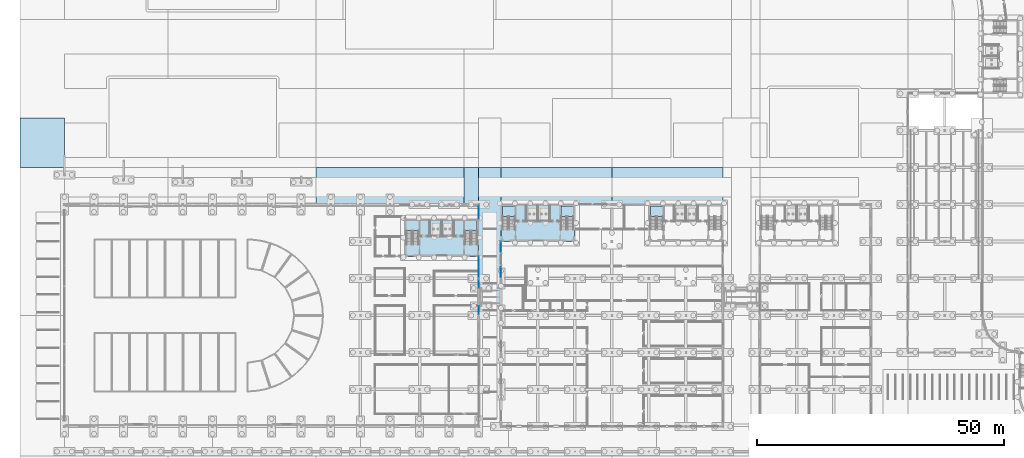
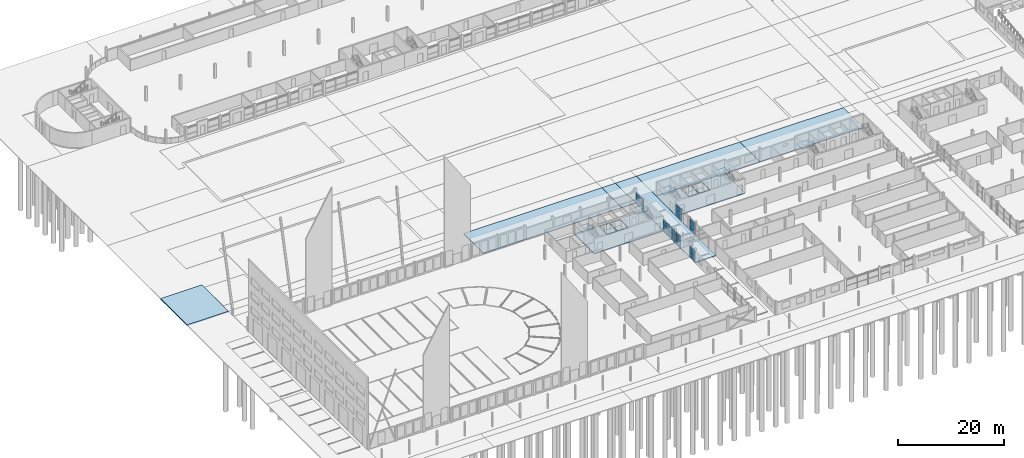
# One storey, part 67 of 130: 15 slabs, 14 plates, 11 elements without a shape of their own.
"""IFC4 building model written with IfcOpenShell, lengths in metres."""

from ifc_helpers import new_model, si_unit, direction, frame, origin, origin_2d, place, context, subcontext, project, spatial, polyline, rectangle, outline, extrude, material, layer, layer_set, type_object, element, aggregate, save


model = new_model("IFC4")

# Units and contexts
model_context = context("Model", 3, precision=1e-05, world=origin(), true_north=direction((0.0, 1.0)))
body_context = subcontext(model_context, "Body", "Model", "MODEL_VIEW")
ifc_project = project(units=[si_unit("LENGTHUNIT", "METRE"), si_unit("AREAUNIT", "SQUARE_METRE"), si_unit("VOLUMEUNIT", "CUBIC_METRE"), si_unit("PLANEANGLEUNIT", "RADIAN"), si_unit("MASSUNIT", "GRAM", prefix="KILO")], contexts=[model_context])

# Site, building, storey
site_placement = place(None, origin())
site = spatial("IfcSite", under=ifc_project, at=site_placement, CompositionType="ELEMENT")
building_placement = place(site_placement, origin())
building = spatial("IfcBuilding", under=site, at=building_placement, Name="Parallax Yard Mobility Hub", CompositionType="ELEMENT")
storey_placement = place(building_placement, origin())
storey = spatial("IfcBuildingStorey", under=building, at=storey_placement, Name="L00", CompositionType="ELEMENT", Elevation=0.0)

# Slabs
ifc_material_1 = material(Name="Concrete fc' 28 MPa", Category="concrete")
ifc_layer_1 = layer(ifc_material_1, 0.25)
ifc_layer_set_1 = layer_set([ifc_layer_1], Name="Bus apron paving 250")
slab_type_1 = type_object("IfcSlabType", Name="Bus apron paving 250", PredefinedType="FLOOR", material=ifc_layer_set_1)
slab_1_placement = place(storey_placement, frame((0.0, 0.0, -0.25)))
element("IfcSlab", 1, at=slab_1_placement, inside=storey, type_object=slab_type_1, Name="Bus apron paving panel 3", PredefinedType="FLOOR", context=body_context, shape_type="SweptSolid", body=[
    extrude(outline(polyline([(9.0, 60.0), (0.0, 60.0), (0.0, 70.0), (9.0, 70.0), (9.0, 60.0)])), origin(), (0.0, 0.0, 1.0), 0.25),
])
ifc_layer_2 = layer(ifc_material_1, 0.199951171875)
ifc_layer_set_2 = layer_set([ifc_layer_2], Name="Core ground slab 200")
slab_type_2 = type_object("IfcSlabType", Name="Core ground slab 200", PredefinedType="BASESLAB", material=ifc_layer_set_2)
slab_2_placement = place(storey_placement, frame((0.0, 0.0, -0.199951171875)))
element("IfcSlab", 2, at=slab_2_placement, inside=storey, type_object=slab_type_2, Name="Core C6-W ground slab", PredefinedType="BASESLAB", context=body_context, shape_type="SweptSolid", body=[
    extrude(outline(polyline([(97.5, 52.5), (112.5, 52.5), (112.5, 45.0), (97.5, 45.0), (97.5, 52.5)]), holes=[polyline([(102.699951171875, 52.199951171875), (102.699951171875, 49.199951171875), (104.89990234375, 49.199951171875), (104.89990234375, 52.199951171875), (102.699951171875, 52.199951171875)]), polyline([(107.300048828125, 52.199951171875), (105.10009765625, 52.199951171875), (105.10009765625, 49.199951171875), (107.300048828125, 49.199951171875), (107.300048828125, 52.199951171875)])]), origin(), (0.0, 0.0, 1.0), 0.199951171875),
])
slab_3_placement = place(storey_placement, frame((0.0, 0.0, -0.199951171875)))
element("IfcSlab", 3, at=slab_3_placement, inside=storey, type_object=slab_type_2, Name="Core C1 ground slab", PredefinedType="BASESLAB", context=body_context, shape_type="SweptSolid", body=[
    extrude(outline(polyline([(78.0, 49.5), (93.0, 49.5), (93.0, 42.0), (78.0, 42.0), (78.0, 49.5)]), holes=[polyline([(83.199951171875, 49.199951171875), (83.199951171875, 46.199951171875), (85.39990234375, 46.199951171875), (85.39990234375, 49.199951171875), (83.199951171875, 49.199951171875)]), polyline([(87.800048828125, 49.199951171875), (85.60009765625, 49.199951171875), (85.60009765625, 46.199951171875), (87.800048828125, 46.199951171875), (87.800048828125, 49.199951171875)])]), origin(), (0.0, 0.0, 1.0), 0.199951171875),
])

# Stair, slab
ifc_material_2 = material(Name="Concrete fc' 35 MPa", Category="concrete")
stair_type_1 = type_object("IfcStairType", Name="Sports deck stair 1200 dog-leg", PredefinedType="HALF_TURN_STAIR", material=ifc_material_2)
stair_1_placement = place(storey_placement, origin())
stair_1 = element("IfcStair", 4, at=stair_1_placement, inside=storey, type_object=stair_type_1, Name="L00 Exit stair 1 of core C6-W", PredefinedType="HALF_TURN_STAIR")
ifc_layer_3 = layer(ifc_material_2, 0.199951171875)
ifc_layer_set_3 = layer_set([ifc_layer_3], Name="Exit stair landing 200")
slab_type_3 = type_object("IfcSlabType", Name="Exit stair landing 200", PredefinedType="LANDING", material=ifc_layer_set_3)
slab_4_placement = place(storey_placement, frame((0.0, 0.0, 1.449951171875)))
slab_4 = element("IfcSlab", 5, at=slab_4_placement, type_object=slab_type_3, Name="ST11 landing 1", PredefinedType="LANDING", context=body_context, shape_type="SweptSolid", body=[
    extrude(outline(polyline([(100.35009765625, 50.10009765625), (100.35009765625, 52.199951171875), (97.800048828125, 52.199951171875), (97.800048828125, 50.10009765625), (100.35009765625, 50.10009765625)])), origin(), (0.0, 0.0, 1.0), 0.199951171875),
])
aggregate(stair_1, [slab_4])

stair_2_placement = place(storey_placement, origin())
stair_2 = element("IfcStair", 6, at=stair_2_placement, inside=storey, type_object=stair_type_1, Name="L00 Exit stair 2 of core C6-W", PredefinedType="HALF_TURN_STAIR")
slab_5_placement = place(storey_placement, frame((0.0, 0.0, 1.449951171875)))
slab_5 = element("IfcSlab", 7, at=slab_5_placement, type_object=slab_type_3, Name="ST12 landing 1", PredefinedType="LANDING", context=body_context, shape_type="SweptSolid", body=[
    extrude(outline(polyline([(112.199951171875, 50.10009765625), (112.199951171875, 52.199951171875), (109.64990234375, 52.199951171875), (109.64990234375, 50.10009765625), (112.199951171875, 50.10009765625)])), origin(), (0.0, 0.0, 1.0), 0.199951171875),
])
aggregate(stair_2, [slab_5])

stair_3_placement = place(storey_placement, origin())
stair_3 = element("IfcStair", 8, at=stair_3_placement, inside=storey, type_object=stair_type_1, Name="L00 Exit stair 1 of core C6-E", PredefinedType="HALF_TURN_STAIR")
slab_6_placement = place(storey_placement, frame((0.0, 0.0, 1.449951171875)))
slab_6 = element("IfcSlab", 9, at=slab_6_placement, type_object=slab_type_3, Name="ST13 landing 1", PredefinedType="LANDING", context=body_context, shape_type="SweptSolid", body=[
    extrude(outline(polyline([(130.35009765625, 50.10009765625), (130.35009765625, 52.199951171875), (127.800048828125, 52.199951171875), (127.800048828125, 50.10009765625), (130.35009765625, 50.10009765625)])), origin(), (0.0, 0.0, 1.0), 0.199951171875),
])
aggregate(stair_3, [slab_6])

stair_type_2 = type_object("IfcStairType", Name="Public hall stair 1200 dog-leg", PredefinedType="HALF_TURN_STAIR", material=ifc_material_2)
stair_4_placement = place(storey_placement, origin())
stair_4 = element("IfcStair", 10, at=stair_4_placement, inside=storey, type_object=stair_type_2, Name="L00 Exit stair 1 of core C1", PredefinedType="HALF_TURN_STAIR")
slab_7_placement = place(storey_placement, frame((0.0, 0.0, 1.449951171875)))
slab_7 = element("IfcSlab", 11, at=slab_7_placement, type_object=slab_type_3, Name="ST17 landing 1", PredefinedType="LANDING", context=body_context, shape_type="SweptSolid", body=[
    extrude(outline(polyline([(80.85009765625, 47.18994140625), (80.85009765625, 49.199951171875), (78.300048828125, 49.199951171875), (78.300048828125, 47.18994140625), (80.85009765625, 47.18994140625)])), origin(), (0.0, 0.0, 1.0), 0.199951171875),
])
aggregate(stair_4, [slab_7])

stair_5_placement = place(storey_placement, origin())
stair_5 = element("IfcStair", 12, at=stair_5_placement, inside=storey, type_object=stair_type_2, Name="L00 Exit stair 2 of core C1", PredefinedType="HALF_TURN_STAIR")
slab_8_placement = place(storey_placement, frame((0.0, 0.0, 1.449951171875)))
slab_8 = element("IfcSlab", 13, at=slab_8_placement, type_object=slab_type_3, Name="ST18 landing 1", PredefinedType="LANDING", context=body_context, shape_type="SweptSolid", body=[
    extrude(outline(polyline([(92.699951171875, 47.18994140625), (92.699951171875, 49.199951171875), (90.14990234375, 49.199951171875), (90.14990234375, 47.18994140625), (92.699951171875, 47.18994140625)])), origin(), (0.0, 0.0, 1.0), 0.199951171875),
])
aggregate(stair_5, [slab_8])

# Curtain wall, plates
ifc_material_3 = material(Name="Thermally broken aluminium curtain wall system", Category="aluminium")
curtain_wall_type = type_object("IfcCurtainWallType", Name="Curtain wall run 60 x 160 frame", PredefinedType="NOTDEFINED", material=ifc_material_3)
curtain_wall_1_placement = place(storey_placement, origin())
curtain_wall_1 = element("IfcCurtainWall", 14, at=curtain_wall_1_placement, inside=storey, type_object=curtain_wall_type, Name="Curtain wall run Bus and taxi deck east end bay 4 level L00", PredefinedType="NOTDEFINED")
ifc_material_4 = material(Name="Laminated low-E double glazing", Category="glass")
ifc_layer_4 = layer(ifc_material_4, 0.028076171875)
ifc_layer_set_4 = layer_set([ifc_layer_4], Name="Glazing panel 28")
plate_type = type_object("IfcPlateType", Name="Glazing panel 28", PredefinedType="CURTAIN_PANEL", material=ifc_layer_set_4)
plate_1_placement = place(storey_placement, frame((93.0, 31.0517578125, 0.06005859375), z_axis=(0.0, 0.0, 1.0), x_axis=(0.0, 1.0, 0.0)))
plate_1 = element("IfcPlate", 15, at=plate_1_placement, type_object=plate_type, Name="CW1 panel 1.1", PredefinedType="CURTAIN_PANEL", context=body_context, shape_type="SweptSolid", body=[
    extrude(rectangle(XDim=1.676513671875, YDim=0.028076171875, at=origin_2d()), origin(), (0.0, 0.0, 1.0), 1.223388671875),
])
plate_2_placement = place(storey_placement, frame((93.0, 31.0517578125, 1.34375), z_axis=(0.0, 0.0, 1.0), x_axis=(0.0, 1.0, 0.0)))
plate_2 = element("IfcPlate", 16, at=plate_2_placement, type_object=plate_type, Name="CW1 panel 1.2", PredefinedType="CURTAIN_PANEL", context=body_context, shape_type="SweptSolid", body=[
    extrude(rectangle(XDim=1.676513671875, YDim=0.028076171875, at=origin_2d()), origin(), (0.0, 0.0, 1.0), 1.223388671875),
])
aggregate(curtain_wall_1, [plate_1, plate_2])

curtain_wall_2_placement = place(storey_placement, origin())
curtain_wall_2 = element("IfcCurtainWall", 17, at=curtain_wall_2_placement, inside=storey, type_object=curtain_wall_type, Name="Curtain wall run Bus and taxi deck east end bay 4 level L00", PredefinedType="NOTDEFINED")
plate_3_placement = place(storey_placement, frame((93.0, 36.4482421875, 0.06005859375), z_axis=(0.0, 0.0, 1.0), x_axis=(0.0, 1.0, 0.0)))
plate_3 = element("IfcPlate", 18, at=plate_3_placement, type_object=plate_type, Name="CW1 panel 1.1", PredefinedType="CURTAIN_PANEL", context=body_context, shape_type="SweptSolid", body=[
    extrude(rectangle(XDim=1.676513671875, YDim=0.028076171875, at=origin_2d()), origin(), (0.0, 0.0, 1.0), 1.223388671875),
])
plate_4_placement = place(storey_placement, frame((93.0, 36.4482421875, 1.34375), z_axis=(0.0, 0.0, 1.0), x_axis=(0.0, 1.0, 0.0)))
plate_4 = element("IfcPlate", 19, at=plate_4_placement, type_object=plate_type, Name="CW1 panel 1.2", PredefinedType="CURTAIN_PANEL", context=body_context, shape_type="SweptSolid", body=[
    extrude(rectangle(XDim=1.676513671875, YDim=0.028076171875, at=origin_2d()), origin(), (0.0, 0.0, 1.0), 1.223388671875),
])
aggregate(curtain_wall_2, [plate_3, plate_4])

curtain_wall_3_placement = place(storey_placement, origin())
curtain_wall_3 = element("IfcCurtainWall", 20, at=curtain_wall_3_placement, inside=storey, type_object=curtain_wall_type, Name="Curtain wall run Bus and taxi deck east end bay 5 level L00", PredefinedType="NOTDEFINED")
plate_5_placement = place(storey_placement, frame((93.0, 38.755126953125, 0.06005859375), z_axis=(0.0, 0.0, 1.0), x_axis=(0.0, 1.0, 0.0)))
plate_5 = element("IfcPlate", 21, at=plate_5_placement, type_object=plate_type, Name="CW1 panel 1.1", PredefinedType="CURTAIN_PANEL", context=body_context, shape_type="SweptSolid", body=[
    extrude(rectangle(XDim=2.083251953125, YDim=0.028076171875, at=origin_2d()), origin(), (0.0, 0.0, 1.0), 1.223388671875),
])
plate_6_placement = place(storey_placement, frame((93.0, 38.755126953125, 1.34375), z_axis=(0.0, 0.0, 1.0), x_axis=(0.0, 1.0, 0.0)))
plate_6 = element("IfcPlate", 22, at=plate_6_placement, type_object=plate_type, Name="CW1 panel 1.2", PredefinedType="CURTAIN_PANEL", context=body_context, shape_type="SweptSolid", body=[
    extrude(rectangle(XDim=2.083251953125, YDim=0.028076171875, at=origin_2d()), origin(), (0.0, 0.0, 1.0), 1.223388671875),
])
plate_7_placement = place(storey_placement, frame((93.0, 40.8984375, 0.06005859375), z_axis=(0.0, 0.0, 1.0), x_axis=(0.0, 1.0, 0.0)))
plate_7 = element("IfcPlate", 23, at=plate_7_placement, type_object=plate_type, Name="CW1 panel 2.1", PredefinedType="CURTAIN_PANEL", context=body_context, shape_type="SweptSolid", body=[
    extrude(rectangle(XDim=2.083251953125, YDim=0.028076171875, at=origin_2d()), origin(), (0.0, 0.0, 1.0), 1.223388671875),
])
plate_8_placement = place(storey_placement, frame((93.0, 40.8984375, 1.34375), z_axis=(0.0, 0.0, 1.0), x_axis=(0.0, 1.0, 0.0)))
plate_8 = element("IfcPlate", 24, at=plate_8_placement, type_object=plate_type, Name="CW1 panel 2.2", PredefinedType="CURTAIN_PANEL", context=body_context, shape_type="SweptSolid", body=[
    extrude(rectangle(XDim=2.083251953125, YDim=0.028076171875, at=origin_2d()), origin(), (0.0, 0.0, 1.0), 1.223388671875),
])
aggregate(curtain_wall_3, [plate_5, plate_6, plate_7, plate_8])

curtain_wall_4_placement = place(storey_placement, origin())
curtain_wall_4 = element("IfcCurtainWall", 25, at=curtain_wall_4_placement, inside=storey, type_object=curtain_wall_type, Name="Curtain wall run Bus and taxi deck east end bay 6 level L00", PredefinedType="NOTDEFINED")
plate_9_placement = place(storey_placement, frame((93.0, 50.90673828125, 0.06005859375), z_axis=(0.0, 0.0, 1.0), x_axis=(0.0, 1.0, 0.0)))
plate_9 = element("IfcPlate", 26, at=plate_9_placement, type_object=plate_type, Name="CW1 panel 1.1", PredefinedType="CURTAIN_PANEL", context=body_context, shape_type="SweptSolid", body=[
    extrude(rectangle(XDim=2.693603515625, YDim=0.028076171875, at=origin_2d()), origin(), (0.0, 0.0, 1.0), 1.223388671875),
])
plate_10_placement = place(storey_placement, frame((93.0, 50.90673828125, 1.34375), z_axis=(0.0, 0.0, 1.0), x_axis=(0.0, 1.0, 0.0)))
plate_10 = element("IfcPlate", 27, at=plate_10_placement, type_object=plate_type, Name="CW1 panel 1.2", PredefinedType="CURTAIN_PANEL", context=body_context, shape_type="SweptSolid", body=[
    extrude(rectangle(XDim=2.693603515625, YDim=0.028076171875, at=origin_2d()), origin(), (0.0, 0.0, 1.0), 1.223388671875),
])
aggregate(curtain_wall_4, [plate_9, plate_10])

curtain_wall_5_placement = place(storey_placement, origin())
curtain_wall_5 = element("IfcCurtainWall", 28, at=curtain_wall_5_placement, inside=storey, type_object=curtain_wall_type, Name="Curtain wall run Mobility service centre and workshops west bay 5 level L00", PredefinedType="NOTDEFINED")
plate_11_placement = place(storey_placement, frame((97.5, 38.74609375, 0.06005859375), z_axis=(0.0, 0.0, 1.0), x_axis=(0.0, 1.0, 0.0)))
plate_11 = element("IfcPlate", 29, at=plate_11_placement, type_object=plate_type, Name="CW1 panel 1.1", PredefinedType="CURTAIN_PANEL", context=body_context, shape_type="SweptSolid", body=[
    extrude(rectangle(XDim=2.04931640625, YDim=0.028076171875, at=origin_2d()), origin(), (0.0, 0.0, 1.0), 1.285400390625),
])
plate_12_placement = place(storey_placement, frame((97.5, 38.74609375, 1.40576171875), z_axis=(0.0, 0.0, 1.0), x_axis=(0.0, 1.0, 0.0)))
plate_12 = element("IfcPlate", 30, at=plate_12_placement, type_object=plate_type, Name="CW1 panel 1.2", PredefinedType="CURTAIN_PANEL", context=body_context, shape_type="SweptSolid", body=[
    extrude(rectangle(XDim=2.04931640625, YDim=0.028076171875, at=origin_2d()), origin(), (0.0, 0.0, 1.0), 1.285400390625),
])
aggregate(curtain_wall_5, [plate_11, plate_12])

curtain_wall_6_placement = place(storey_placement, origin())
curtain_wall_6 = element("IfcCurtainWall", 31, at=curtain_wall_6_placement, inside=storey, type_object=curtain_wall_type, Name="Curtain wall run Mobility service centre and workshops west bay 5 level L00", PredefinedType="NOTDEFINED")
plate_13_placement = place(storey_placement, frame((97.5, 43.915283203125, 0.06005859375), z_axis=(0.0, 0.0, 1.0), x_axis=(0.0, 1.0, 0.0)))
plate_13 = element("IfcPlate", 32, at=plate_13_placement, type_object=plate_type, Name="CW1 panel 1.1", PredefinedType="CURTAIN_PANEL", context=body_context, shape_type="SweptSolid", body=[
    extrude(rectangle(XDim=2.04931640625, YDim=0.028076171875, at=origin_2d()), origin(), (0.0, 0.0, 1.0), 1.285400390625),
])
plate_14_placement = place(storey_placement, frame((97.5, 43.915283203125, 1.40576171875), z_axis=(0.0, 0.0, 1.0), x_axis=(0.0, 1.0, 0.0)))
plate_14 = element("IfcPlate", 33, at=plate_14_placement, type_object=plate_type, Name="CW1 panel 1.2", PredefinedType="CURTAIN_PANEL", context=body_context, shape_type="SweptSolid", body=[
    extrude(rectangle(XDim=2.04931640625, YDim=0.028076171875, at=origin_2d()), origin(), (0.0, 0.0, 1.0), 1.285400390625),
])
aggregate(curtain_wall_6, [plate_13, plate_14])

# Slabs
ifc_layer_5 = layer(ifc_material_1, 0.300048828125)
ifc_layer_set_5 = layer_set([ifc_layer_5], Name="Lift pit slab 300")
slab_type_4 = type_object("IfcSlabType", Name="Lift pit slab 300", PredefinedType="BASESLAB", material=ifc_layer_set_5)
slab_9_placement = place(storey_placement, frame((0.0, 0.0, -1.800048828125)))
element("IfcSlab", 34, at=slab_9_placement, inside=storey, type_object=slab_type_4, Name="Core C6-W lift pit slab (shaft group 1)", PredefinedType="BASESLAB", context=body_context, shape_type="SweptSolid", body=[
    extrude(outline(polyline([(102.5, 49.0), (107.5, 49.0), (107.5, 52.5), (102.5, 52.5), (102.5, 49.0)])), origin(), (0.0, 0.0, 1.0), 0.300048828125),
])
slab_10_placement = place(storey_placement, frame((0.0, 0.0, -1.800048828125)))
element("IfcSlab", 35, at=slab_10_placement, inside=storey, type_object=slab_type_4, Name="Core C1 lift pit slab (shaft group 1)", PredefinedType="BASESLAB", context=body_context, shape_type="SweptSolid", body=[
    extrude(outline(polyline([(83.0, 46.0), (88.0, 46.0), (88.0, 49.5), (83.0, 49.5), (83.0, 46.0)])), origin(), (0.0, 0.0, 1.0), 0.300048828125),
])
ifc_layer_6 = layer(ifc_material_1, 0.14990234375)
ifc_layer_set_6 = layer_set([ifc_layer_6], Name="Public yard paving 150")
slab_type_5 = type_object("IfcSlabType", Name="Public yard paving 150", PredefinedType="FLOOR", material=ifc_layer_set_6)
slab_11_placement = place(storey_placement, frame((0.0, 0.0, -0.14990234375)))
element("IfcSlab", 36, at=slab_11_placement, inside=storey, type_object=slab_type_5, Name="Public yard paving panel 9", PredefinedType="FLOOR", context=body_context, shape_type="SweptSolid", body=[
    extrude(outline(polyline([(87.0009765625, 52.5), (87.0009765625, 52.5), (87.0009765625, 52.500244140625), (87.0009765625, 52.500244140625), (87.0009765625, 52.50048828125), (87.0009765625, 52.50048828125), (87.000732421875, 52.50048828125), (87.000732421875, 52.50048828125), (87.000732421875, 52.500732421875), (87.00048828125, 52.500732421875), (87.00048828125, 52.500732421875), (87.00048828125, 52.5009765625), (87.00048828125, 52.5009765625), (87.000244140625, 52.5009765625), (87.000244140625, 52.5009765625), (87.0, 52.5009765625), (87.0, 52.5009765625), (60.0, 52.5009765625), (60.0, 60.0), (90.0, 60.0), (90.0, 52.5), (87.0009765625, 52.5)])), origin(), (0.0, 0.0, 1.0), 0.14990234375),
])
slab_12_placement = place(storey_placement, frame((0.0, 0.0, -0.14990234375)))
element("IfcSlab", 37, at=slab_12_placement, inside=storey, type_object=slab_type_5, Name="Public yard paving panel 13", PredefinedType="FLOOR", context=body_context, shape_type="SweptSolid", body=[
    extrude(outline(polyline([(93.0, 52.5), (90.0, 52.5), (90.0, 60.0), (93.0, 60.0), (93.0, 52.5)])), origin(), (0.0, 0.0, 1.0), 0.14990234375),
])
slab_13_placement = place(storey_placement, frame((0.0, 0.0, -0.14990234375)))
element("IfcSlab", 38, at=slab_13_placement, inside=storey, type_object=slab_type_5, Name="Public yard paving panel 14", PredefinedType="FLOOR", context=body_context, shape_type="SweptSolid", body=[
    extrude(outline(polyline([(112.5, 52.5009765625), (112.5, 52.5009765625), (112.499755859375, 52.5009765625), (112.499755859375, 52.5009765625), (112.49951171875, 52.5009765625), (112.49951171875, 52.5009765625), (112.49951171875, 52.500732421875), (112.49951171875, 52.500732421875), (112.499267578125, 52.500732421875), (112.499267578125, 52.50048828125), (112.499267578125, 52.50048828125), (112.4990234375, 52.50048828125), (112.4990234375, 52.50048828125), (112.4990234375, 52.500244140625), (112.4990234375, 52.500244140625), (112.4990234375, 52.5), (112.4990234375, 52.5), (97.5, 52.5), (97.5, 60.0), (120.0, 60.0), (120.0, 52.5009765625), (112.5, 52.5009765625)])), origin(), (0.0, 0.0, 1.0), 0.14990234375),
])
slab_14_placement = place(storey_placement, frame((0.0, 0.0, -0.14990234375)))
element("IfcSlab", 39, at=slab_14_placement, inside=storey, type_object=slab_type_5, Name="Public yard paving panel 18", PredefinedType="FLOOR", context=body_context, shape_type="SweptSolid", body=[
    extrude(outline(polyline([(142.5, 52.5), (127.5009765625, 52.5), (127.5009765625, 52.5), (127.5009765625, 52.500244140625), (127.5009765625, 52.500244140625), (127.5009765625, 52.50048828125), (127.5009765625, 52.50048828125), (127.500732421875, 52.50048828125), (127.500732421875, 52.50048828125), (127.500732421875, 52.500732421875), (127.50048828125, 52.500732421875), (127.50048828125, 52.500732421875), (127.50048828125, 52.5009765625), (127.50048828125, 52.5009765625), (127.500244140625, 52.5009765625), (127.500244140625, 52.5009765625), (127.5, 52.5009765625), (127.5, 52.5009765625), (122.60009765625, 52.5009765625), (122.599853515625, 52.5009765625), (122.599853515625, 52.5009765625), (122.599609375, 52.5009765625), (122.599609375, 52.5009765625), (122.599609375, 52.5009765625), (122.599365234375, 52.500732421875), (122.599365234375, 52.500732421875), (122.599365234375, 52.500732421875), (122.59912109375, 52.50048828125), (122.59912109375, 52.50048828125), (122.59912109375, 52.50048828125), (122.59912109375, 52.50048828125), (122.59912109375, 52.500244140625), (122.59912109375, 52.500244140625), (122.59912109375, 52.5), (122.59912109375, 52.5), (122.40087890625, 52.5), (122.40087890625, 52.5), (122.40087890625, 52.500244140625), (122.40087890625, 52.500244140625), (122.40087890625, 52.50048828125), (122.40087890625, 52.50048828125), (122.40087890625, 52.50048828125), (122.40087890625, 52.50048828125), (122.400634765625, 52.500732421875), (122.400634765625, 52.500732421875), (122.400634765625, 52.500732421875), (122.400390625, 52.5009765625), (122.400390625, 52.5009765625), (122.400390625, 52.5009765625), (122.400146484375, 52.5009765625), (122.400146484375, 52.5009765625), (122.39990234375, 52.5009765625), (120.0, 52.5009765625), (120.0, 60.0), (142.5, 60.0), (142.5, 52.5)])), origin(), (0.0, 0.0, 1.0), 0.14990234375),
])
ifc_layer_7 = layer(ifc_material_1, 0.199951171875)
ifc_layer_set_7 = layer_set([ifc_layer_7], Name="Taxi apron paving, Concrete fc' 28 MPa reinforced, 200")
slab_type_6 = type_object("IfcSlabType", Name="Taxi apron paving, Concrete fc' 28 MPa reinforced, 200", PredefinedType="FLOOR", material=ifc_layer_set_7)
slab_15_placement = place(storey_placement, frame((0.0, 0.0, -0.199951171875)))
element("IfcSlab", 40, at=slab_15_placement, inside=storey, type_object=slab_type_6, Name="Taxi apron paving panel 2", PredefinedType="FLOOR", context=body_context, shape_type="SweptSolid", body=[
    extrude(outline(polyline([(93.000732421875, 49.499267578125), (93.000732421875, 49.49951171875), (93.000732421875, 49.49951171875), (93.0009765625, 49.49951171875), (93.0009765625, 49.49951171875), (93.0009765625, 49.499755859375), (93.0009765625, 49.499755859375), (93.0009765625, 49.5), (93.0009765625, 49.5), (93.0009765625, 52.375), (93.0009765625, 52.375), (93.0009765625, 52.375244140625), (93.0009765625, 52.375244140625), (93.0009765625, 52.37548828125), (93.0009765625, 52.37548828125), (93.000732421875, 52.37548828125), (93.000732421875, 52.37548828125), (93.000732421875, 52.375732421875), (93.00048828125, 52.375732421875), (93.00048828125, 52.375732421875), (93.00048828125, 52.3759765625), (93.00048828125, 52.3759765625), (93.000244140625, 52.3759765625), (93.000244140625, 52.3759765625), (93.0, 52.3759765625), (93.0, 52.3759765625), (93.0, 52.5), (93.0, 60.0), (97.5, 60.0), (97.5, 52.5), (97.5, 45.0009765625), (97.5, 45.0009765625), (97.499755859375, 45.0009765625), (97.499755859375, 45.0009765625), (97.49951171875, 45.0009765625), (97.49951171875, 45.0009765625), (97.49951171875, 45.000732421875), (97.49951171875, 45.000732421875), (97.499267578125, 45.000732421875), (97.499267578125, 45.00048828125), (97.499267578125, 45.00048828125), (97.4990234375, 45.00048828125), (97.4990234375, 45.00048828125), (97.4990234375, 45.000244140625), (97.4990234375, 45.000244140625), (97.4990234375, 45.0), (97.4990234375, 45.0), (97.4990234375, 36.10009765625), (97.4990234375, 36.099853515625), (97.4990234375, 36.099853515625), (97.4990234375, 36.099609375), (97.4990234375, 36.099609375), (97.4990234375, 36.099609375), (97.499267578125, 36.099365234375), (97.499267578125, 36.099365234375), (97.499267578125, 36.099365234375), (97.49951171875, 36.09912109375), (97.49951171875, 36.09912109375), (97.49951171875, 36.09912109375), (97.49951171875, 36.09912109375), (97.499755859375, 36.09912109375), (97.499755859375, 36.09912109375), (97.5, 36.09912109375), (97.5, 36.09912109375), (97.5, 35.90087890625), (97.5, 35.90087890625), (97.499755859375, 35.90087890625), (97.499755859375, 35.90087890625), (97.49951171875, 35.90087890625), (97.49951171875, 35.90087890625), (97.49951171875, 35.90087890625), (97.49951171875, 35.90087890625), (97.499267578125, 35.900634765625), (97.499267578125, 35.900634765625), (97.499267578125, 35.900634765625), (97.4990234375, 35.900390625), (97.4990234375, 35.900390625), (97.4990234375, 35.900390625), (97.4990234375, 35.900146484375), (97.4990234375, 35.900146484375), (97.4990234375, 35.89990234375), (97.4990234375, 31.10009765625), (97.4990234375, 31.099853515625), (97.4990234375, 31.099853515625), (97.4990234375, 31.099609375), (97.4990234375, 31.099609375), (97.4990234375, 31.099609375), (97.499267578125, 31.099365234375), (97.499267578125, 31.099365234375), (97.499267578125, 31.099365234375), (97.49951171875, 31.09912109375), (97.49951171875, 31.09912109375), (97.49951171875, 31.09912109375), (97.49951171875, 31.09912109375), (97.499755859375, 31.09912109375), (97.499755859375, 31.09912109375), (97.5, 31.09912109375), (97.5, 31.09912109375), (97.5, 30.90087890625), (97.5, 30.90087890625), (97.499755859375, 30.90087890625), (97.499755859375, 30.90087890625), (97.49951171875, 30.90087890625), (97.49951171875, 30.90087890625), (97.49951171875, 30.90087890625), (97.49951171875, 30.90087890625), (97.499267578125, 30.900634765625), (97.499267578125, 30.900634765625), (97.499267578125, 30.900634765625), (97.4990234375, 30.900390625), (97.4990234375, 30.900390625), (97.4990234375, 30.900390625), (97.4990234375, 30.900146484375), (97.4990234375, 30.900146484375), (97.4990234375, 30.89990234375), (97.4990234375, 30.0), (93.0009765625, 30.0), (93.0009765625, 31.925048828125), (93.0009765625, 31.925048828125), (93.0009765625, 31.92529296875), (93.0009765625, 31.92529296875), (93.0009765625, 31.92529296875), (93.0009765625, 31.925537109375), (93.000732421875, 31.925537109375), (93.000732421875, 31.925537109375), (93.000732421875, 31.92578125), (93.00048828125, 31.92578125), (93.00048828125, 31.92578125), (93.00048828125, 31.92578125), (93.00048828125, 31.92578125), (93.000244140625, 31.926025390625), (93.000244140625, 31.926025390625), (93.0, 31.926025390625), (93.0, 31.926025390625), (93.0, 32.073974609375), (93.0, 32.073974609375), (93.000244140625, 32.073974609375), (93.000244140625, 32.073974609375), (93.00048828125, 32.07421875), (93.00048828125, 32.07421875), (93.00048828125, 32.07421875), (93.00048828125, 32.07421875), (93.000732421875, 32.07421875), (93.000732421875, 32.074462890625), (93.000732421875, 32.074462890625), (93.0009765625, 32.074462890625), (93.0009765625, 32.07470703125), (93.0009765625, 32.07470703125), (93.0009765625, 32.07470703125), (93.0009765625, 32.074951171875), (93.0009765625, 32.074951171875), (93.0009765625, 33.89990234375), (93.0009765625, 33.900146484375), (93.0009765625, 33.900146484375), (93.0009765625, 33.900390625), (93.0009765625, 33.900390625), (93.0009765625, 33.900390625), (93.000732421875, 33.900634765625), (93.000732421875, 33.900634765625), (93.000732421875, 33.900634765625), (93.00048828125, 33.90087890625), (93.00048828125, 33.90087890625), (93.00048828125, 33.90087890625), (93.00048828125, 33.90087890625), (93.000244140625, 33.90087890625), (93.000244140625, 33.90087890625), (93.0, 33.90087890625), (93.0, 33.90087890625), (93.0, 34.09912109375), (93.0, 34.09912109375), (93.000244140625, 34.09912109375), (93.000244140625, 34.09912109375), (93.00048828125, 34.09912109375), (93.00048828125, 34.09912109375), (93.00048828125, 34.09912109375), (93.00048828125, 34.09912109375), (93.000732421875, 34.099365234375), (93.000732421875, 34.099365234375), (93.000732421875, 34.099365234375), (93.0009765625, 34.099609375), (93.0009765625, 34.099609375), (93.0009765625, 34.099609375), (93.0009765625, 34.099853515625), (93.0009765625, 34.099853515625), (93.0009765625, 34.10009765625), (93.0009765625, 38.89990234375), (93.0009765625, 38.900146484375), (93.0009765625, 38.900146484375), (93.0009765625, 38.900390625), (93.0009765625, 38.900390625), (93.0009765625, 38.900390625), (93.000732421875, 38.900634765625), (93.000732421875, 38.900634765625), (93.000732421875, 38.900634765625), (93.00048828125, 38.90087890625), (93.00048828125, 38.90087890625), (93.00048828125, 38.90087890625), (93.00048828125, 38.90087890625), (93.000244140625, 38.90087890625), (93.000244140625, 38.90087890625), (93.0, 38.90087890625), (93.0, 38.90087890625), (93.0, 39.09912109375), (93.0, 39.09912109375), (93.000244140625, 39.09912109375), (93.000244140625, 39.09912109375), (93.00048828125, 39.09912109375), (93.00048828125, 39.09912109375), (93.00048828125, 39.09912109375), (93.00048828125, 39.09912109375), (93.000732421875, 39.099365234375), (93.000732421875, 39.099365234375), (93.000732421875, 39.099365234375), (93.0009765625, 39.099609375), (93.0009765625, 39.099609375), (93.0009765625, 39.099609375), (93.0009765625, 39.099853515625), (93.0009765625, 39.099853515625), (93.0009765625, 39.10009765625), (93.0009765625, 42.0), (93.0009765625, 42.0), (93.0009765625, 42.000244140625), (93.0009765625, 42.000244140625), (93.0009765625, 42.00048828125), (93.0009765625, 42.00048828125), (93.000732421875, 42.00048828125), (93.000732421875, 42.00048828125), (93.000732421875, 42.000732421875), (93.00048828125, 42.000732421875), (93.00048828125, 42.000732421875), (93.00048828125, 42.0009765625), (93.00048828125, 42.0009765625), (93.000244140625, 42.0009765625), (93.000244140625, 42.0009765625), (93.0, 42.0009765625), (93.0, 42.0009765625), (93.0, 49.4990234375), (93.0, 49.4990234375), (93.000244140625, 49.4990234375), (93.000244140625, 49.4990234375), (93.00048828125, 49.4990234375), (93.00048828125, 49.4990234375), (93.00048828125, 49.499267578125), (93.00048828125, 49.499267578125), (93.000732421875, 49.499267578125)])), origin(), (0.0, 0.0, 1.0), 0.199951171875),
])

save(model, "model.ifc")
